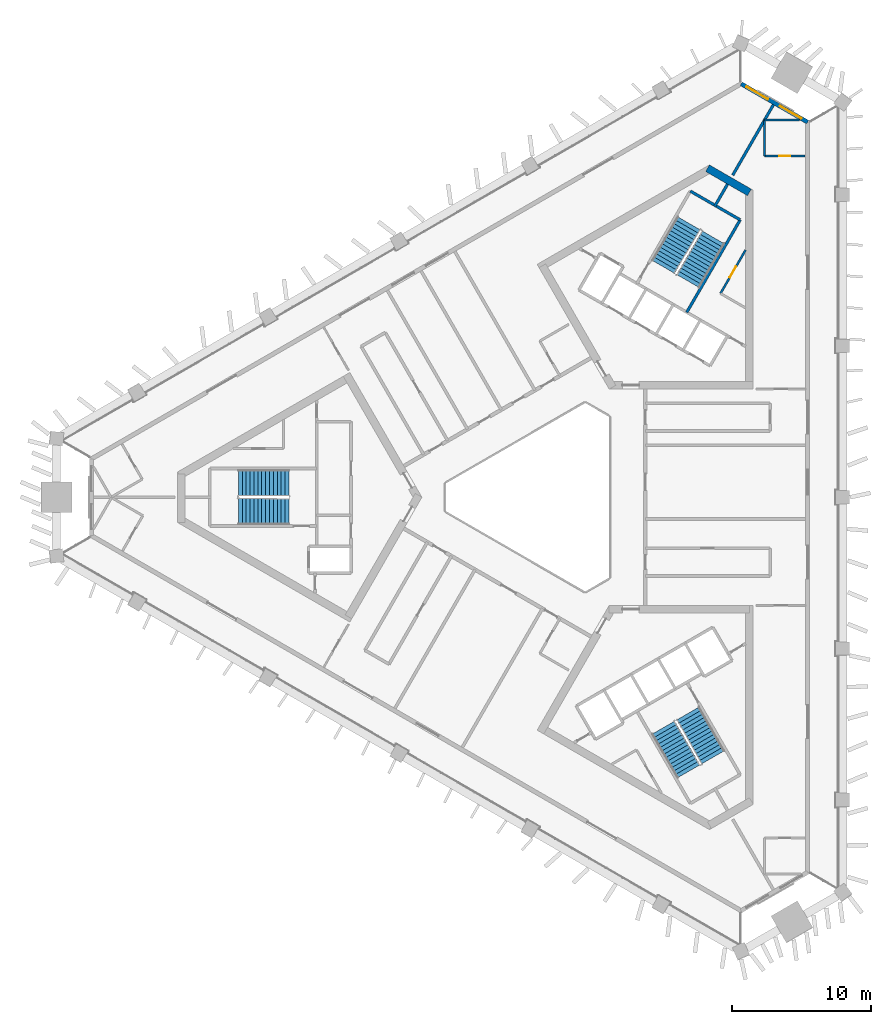
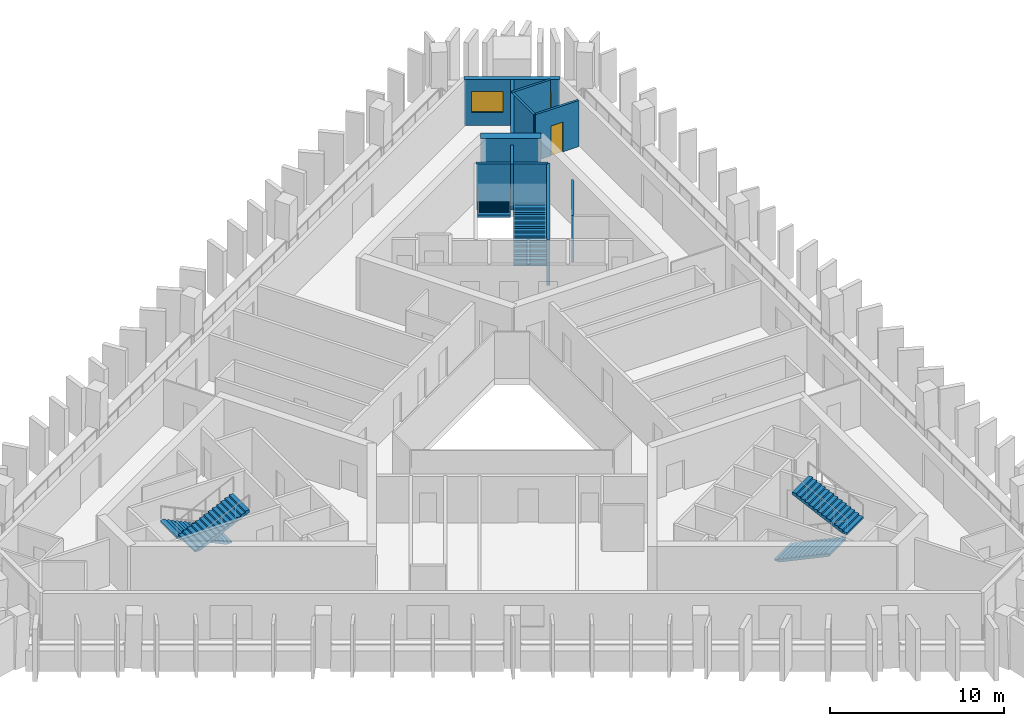
# One storey, part 6 of 10: 10 walls, 6 stair flights, 2 doors, 2 windows, 4 openings, 3 elements without a shape of their own.
"""IFC4 building model written with IfcOpenShell, lengths in metres."""

import ifcopenshell
import ifcopenshell.guid

model = None  # the IFC model being written
_history = None  # IfcOwnerHistory: only IFC2X3 demands one
_inside = {}  # id of a spatial element -> (the spatial element, [elements in it])
_under = {}  # id of a project, library or spatial element -> (it, [spatial elements below it])
_declared = {}  # id of a project -> (the project, [libraries it declares])
_typed = {}  # id of a type object -> (the type object, [elements of that type])
_made_of = {}  # id of a material, layer set ... -> (it, [elements and type objects made of it])


def new_model(schema):
    """Start an empty IFC model of exactly this schema.

    Asked for "IFC4X3", IfcOpenShell would pick the latest addendum, in which some entities
    have other attributes; the version numbers below select the first issue.
    IFC2X3 requires an IfcOwnerHistory on every rooted entity: one is made here for all.
    """
    global model, _history
    if schema == "IFC4X3":
        model = ifcopenshell.file(schema_version=(4, 3, 0, 0))
    else:
        model = ifcopenshell.file(schema=schema)
    _inside.clear()
    _under.clear()
    _declared.clear()
    _typed.clear()
    _made_of.clear()
    _history = None
    if model.schema == "IFC2X3":
        org = make("IfcOrganization", Name="unknown")
        user = make(
            "IfcPersonAndOrganization",
            ThePerson=make("IfcPerson", FamilyName="unknown"),
            TheOrganization=org,
        )
        app = make(
            "IfcApplication",
            ApplicationDeveloper=org,
            Version="unknown",
            ApplicationFullName="unknown",
            ApplicationIdentifier="unknown",
        )
        _history = make(
            "IfcOwnerHistory",
            OwningUser=user,
            OwningApplication=app,
            ChangeAction="ADDED",
            CreationDate=0,
        )
    return model


def make(cls, **values):
    """One entity of the class cls with the attributes given. An attribute that is None is left unset."""
    return model.create_entity(
        cls, **{name: value for name, value in values.items() if value is not None}
    )


def rooted(cls, **values):
    """An entity with a GlobalId (a new one), such as an element, a storey or a relation."""
    return make(cls, GlobalId=ifcopenshell.guid.new(), OwnerHistory=_history, **values)


def si_unit(unit_type, name, prefix=None):
    """IfcSIUnit, for example si_unit("LENGTHUNIT", "METRE", prefix="MILLI")."""
    return make("IfcSIUnit", UnitType=unit_type, Prefix=prefix, Name=name)


def assignment(units):
    """IfcUnitAssignment: the units of a project."""
    return None if units is None else make("IfcUnitAssignment", Units=units)


def point(xyz):
    """IfcCartesianPoint."""
    return None if xyz is None else make("IfcCartesianPoint", Coordinates=xyz)


def direction(xyz):
    """IfcDirection."""
    return None if xyz is None else make("IfcDirection", DirectionRatios=xyz)


def frame(location, z_axis=None, x_axis=None):
    """IfcAxis2Placement3D, a coordinate frame: its origin and axes. An axis left out is left unset."""
    return make(
        "IfcAxis2Placement3D",
        Location=point(location),
        Axis=direction(z_axis),
        RefDirection=direction(x_axis),
    )


def frame_2d(location, x_axis=None):
    """IfcAxis2Placement2D, a coordinate frame in the plane: its origin and x axis."""
    return make(
        "IfcAxis2Placement2D", Location=point(location), RefDirection=direction(x_axis)
    )


def origin():
    """The frame at (0, 0, 0) with its axes left unset."""
    return frame((0.0, 0.0, 0.0))


def place(relative_to, where):
    """IfcLocalPlacement: puts the frame where relative to a parent placement (None: the world)."""
    return make(
        "IfcLocalPlacement", PlacementRelTo=relative_to, RelativePlacement=where
    )


def context(
    kind, dimensions, precision=None, world=None, true_north=None, identifier=None
):
    """IfcGeometricRepresentationContext, for example the 3D "Model" context."""
    return make(
        "IfcGeometricRepresentationContext",
        ContextIdentifier=identifier,
        ContextType=kind,
        CoordinateSpaceDimension=dimensions,
        Precision=precision,
        WorldCoordinateSystem=world,
        TrueNorth=true_north,
    )


def subcontext(parent, identifier, kind, view, scale=None):
    """IfcGeometricRepresentationSubContext, for example "Body" below "Model"."""
    return make(
        "IfcGeometricRepresentationSubContext",
        ContextIdentifier=identifier,
        ContextType=kind,
        ParentContext=parent,
        TargetScale=scale,
        TargetView=view,
    )


def project(units=None, contexts=None):
    """IfcProject with its units and contexts."""
    return rooted(
        "IfcProject",
        Name="project",
        RepresentationContexts=contexts,
        UnitsInContext=assignment(units),
    )


def spatial(cls, under=None, at=None, **own):
    """A site, building, storey or space (cls), placed at a placement, below another one or the project."""
    s = rooted(cls, ObjectPlacement=at, **own)
    if under is not None:
        _under.setdefault(under.id(), (under, []))[1].append(s)
    return s


def polyline(points):
    """IfcPolyline through the points."""
    return make("IfcPolyline", Points=[point(p) for p in points])


def profile(cls, at=None, kind="AREA", **sizes):
    """A parametric profile (cls). Its sizes go by their IFC names, for example OverallWidth=200.0."""
    return make(cls, ProfileType=kind, Position=at, **sizes)


def rectangle(**sizes):
    """IfcRectangleProfileDef."""
    return profile("IfcRectangleProfileDef", **sizes)


def outline(outer, holes=None, kind="AREA"):
    """IfcArbitraryClosedProfileDef: a profile drawn as a closed curve; with holes, ...WithVoids."""
    if holes is None:
        return make("IfcArbitraryClosedProfileDef", ProfileType=kind, OuterCurve=outer)
    return make(
        "IfcArbitraryProfileDefWithVoids",
        ProfileType=kind,
        OuterCurve=outer,
        InnerCurves=holes,
    )


def extrude(swept, where, along, depth):
    """IfcExtrudedAreaSolid: the profile swept, set in the frame where, extruded along a direction by depth."""
    return make(
        "IfcExtrudedAreaSolid",
        SweptArea=swept,
        Position=where,
        ExtrudedDirection=direction(along),
        Depth=depth,
    )


def shape(context_of_items, identifier, shape_type, items):
    """IfcShapeRepresentation: the items that make up one representation, for example the "Body"."""
    return make(
        "IfcShapeRepresentation",
        ContextOfItems=context_of_items,
        RepresentationIdentifier=identifier,
        RepresentationType=shape_type,
        Items=items,
    )


def material(Name=None, Category=None):
    """IfcMaterial."""
    return make("IfcMaterial", Name=Name, Category=Category)


def layer(
    of_material, thickness, ventilated=None, Name=None, Category=None, Priority=None
):
    """IfcMaterialLayer: one layer of a wall or slab, of a material (None: an air gap)."""
    return make(
        "IfcMaterialLayer",
        Material=of_material,
        LayerThickness=thickness,
        IsVentilated=ventilated,
        Name=Name,
        Category=Category,
        Priority=Priority,
    )


def layer_set(layers, Name=None):
    """IfcMaterialLayerSet."""
    return make("IfcMaterialLayerSet", MaterialLayers=layers, LayerSetName=Name)


def made_of(thing, what):
    """Note that an element or type object is made of a material, layer set ...; save() writes the relation."""
    if what is not None:
        _made_of.setdefault(what.id(), (what, []))[1].append(thing)
    return thing


def type_object(cls, material=None, **own):
    """A type object (cls), such as IfcWallType, which elements share."""
    return made_of(rooted(cls, **own), material)


def element(
    cls,
    number,
    at=None,
    inside=None,
    cuts=None,
    type_object=None,
    material=None,
    context=None,
    identifier="Body",
    shape_type=None,
    held_by="IfcProductDefinitionShape",
    body=None,
    shapes=None,
    **own,
):
    """One element of the class cls, such as IfcWall. Its Tag is "e" and its number.

    at: its placement. inside: the storey or other place that contains it. cuts: it is an
    opening in that element (IfcRelVoidsElement). A single representation is given by context,
    identifier, shape_type and body (its items); several are given by shapes. held_by: the class
    of the entity that holds the representations. save() writes the other relations.
    """
    e = rooted(cls, Tag="e%d" % number, ObjectPlacement=at, **own)
    if body is not None:
        shapes = [shape(context, identifier, shape_type, body)]
    if shapes is not None:
        e.Representation = make(held_by, Representations=shapes)
    if inside is not None:
        _inside.setdefault(inside.id(), (inside, []))[1].append(e)
    if cuts is not None:
        rooted(
            "IfcRelVoidsElement", RelatingBuildingElement=cuts, RelatedOpeningElement=e
        )
    if type_object is not None:
        _typed.setdefault(type_object.id(), (type_object, []))[1].append(e)
    return made_of(e, material)


def fill(opening, filler):
    """IfcRelFillsElement: the door or window that sits in an opening."""
    return rooted(
        "IfcRelFillsElement",
        RelatingOpeningElement=opening,
        RelatedBuildingElement=filler,
    )


def aggregate(whole, parts):
    """IfcRelAggregates: a whole, such as a stair, and the parts it consists of."""
    return rooted("IfcRelAggregates", RelatingObject=whole, RelatedObjects=parts)


def save(model, path):
    """Write the relations noted so far, then the file.

    IfcRelAggregates (storeys below a building ...), IfcRelContainedInSpatialStructure (elements
    in a storey), IfcRelDefinesByType, IfcRelAssociatesMaterial and IfcRelDeclares: one each for
    every whole, place, type object, material and project.
    """
    for whole, parts in _under.values():
        aggregate(whole, parts)
    for where, things in _inside.values():
        rooted(
            "IfcRelContainedInSpatialStructure",
            RelatedElements=things,
            RelatingStructure=where,
        )
    for kind, things in _typed.values():
        rooted("IfcRelDefinesByType", RelatedObjects=things, RelatingType=kind)
    for what, things in _made_of.values():
        rooted("IfcRelAssociatesMaterial", RelatedObjects=things, RelatingMaterial=what)
    for by, libraries in _declared.values():
        rooted("IfcRelDeclares", RelatingContext=by, RelatedDefinitions=libraries)
    model.write(path)


model = new_model("IFC4")

# Units and contexts
model_context = context("Model", 3, precision=1e-05, world=origin(), true_north=direction((0.0, 1.0)))
body_context = subcontext(model_context, "Body", "Model", "MODEL_VIEW")
ifc_project = project(units=[si_unit("LENGTHUNIT", "METRE"), si_unit("AREAUNIT", "SQUARE_METRE"), si_unit("VOLUMEUNIT", "CUBIC_METRE"), si_unit("PLANEANGLEUNIT", "RADIAN"), si_unit("MASSUNIT", "GRAM", prefix="KILO")], contexts=[model_context])

# Site, building, storey
site_placement = place(None, origin())
site = spatial("IfcSite", under=ifc_project, at=site_placement, CompositionType="ELEMENT")
building_placement = place(site_placement, origin())
building = spatial("IfcBuilding", under=site, at=building_placement, Name="Jabali Bay Hotel Tower and Convention Centre", CompositionType="ELEMENT")
storey_placement = place(building_placement, frame((0.0, 0.0, 163.699951171875)))
storey = spatial("IfcBuildingStorey", under=building, at=storey_placement, Name="L39", CompositionType="ELEMENT", Elevation=163.699951171875)

# Wall
ifc_material_1 = material(Name="Concrete C40", Category="concrete")
ifc_layer_1 = layer(ifc_material_1, 0.199951171875)
ifc_layer_set_1 = layer_set([ifc_layer_1], Name="Concrete C40")
wall_type_1 = type_object("IfcWallType", Name="Core partition wall 200", PredefinedType="PARTITIONING", material=ifc_layer_set_1)
wall_1_placement = place(storey_placement, frame((87.090087890625, 100.9404296875, 0.0), z_axis=(0.0, 0.0, 1.0), x_axis=(0.499951854219, 0.86605319898, 0.0)))
element("IfcWall", 1, at=wall_1_placement, inside=storey, type_object=wall_type_1, Name="Core wall 1.5 L39", PredefinedType="PARTITIONING", context=body_context, shape_type="SweptSolid", body=[
    extrude(rectangle(XDim=1.873291015625, YDim=0.199951171875, at=frame_2d((0.9365234375, 0.0))), origin(), (0.0, 0.0, 1.0), 3.25),
])

# Wall, opening, door
ifc_material_2 = material(Name="Fire-rated board partition")
ifc_layer_2 = layer(ifc_material_2, 0.14990234375)
ifc_layer_set_2 = layer_set([ifc_layer_2], Name="Fire-rated board partition")
wall_type_2 = type_object("IfcWallType", Name="Core room partition 150", PredefinedType="PARTITIONING", material=ifc_layer_set_2)
wall_2_placement = place(storey_placement, frame((87.52099609375, 94.687255859375, 0.0), z_axis=(0.0, 0.0, 1.0), x_axis=(0.500043727655, 0.866000156139, 0.0)))
wall_2 = element("IfcWall", 2, at=wall_2_placement, inside=storey, type_object=wall_type_2, Name="Core wall 1.1 L39", PredefinedType="PARTITIONING", context=body_context, shape_type="SweptSolid", body=[
    extrude(rectangle(XDim=3.617919921875, YDim=0.14990234375, at=frame_2d((1.80908203125, 0.0))), origin(), (0.0, 0.0, 1.0), 3.25),
])
opening_1_placement = place(wall_2_placement, frame((1.33154296875, 0.0, 0.0)))
opening_1 = element("IfcOpeningElement", 3, at=opening_1_placement, cuts=wall_2, Name="Opening D858", PredefinedType="OPENING", context=body_context, shape_type="SweptSolid", body=[
    extrude(rectangle(XDim=0.89990234375, YDim=2.10009765625, at=frame_2d((0.449951171875, 1.050048828125))), frame((0.0, 0.08544921875, 0.0), z_axis=(0.0, -1.0, 0.0), x_axis=(1.0, 0.0, 0.0)), (0.0, 0.0, 1.0), 0.1708984375),
])
ifc_material_3 = material(Name="Fire-rated steel door", Category="steel")
door_type_1 = type_object("IfcDoorType", Name="Core room door 900 x 2100", OperationType="NOTDEFINED", PredefinedType="NOTDEFINED", material=ifc_material_3)
door_1_placement = place(opening_1_placement, origin())
door_1 = element("IfcDoor", 4, at=door_1_placement, inside=storey, type_object=door_type_1, Name="Core room door D858", OperationType="SINGLE_SWING_LEFT", OverallHeight=2.10009765625, OverallWidth=0.89990234375, PredefinedType="NOTDEFINED", context=body_context, shape_type="SweptSolid", body=[
    extrude(rectangle(XDim=0.89990234375, YDim=2.10009765625, at=frame_2d((0.449951171875, 1.050048828125))), frame((0.0, 0.02490234375, 0.0), z_axis=(0.0, -1.0, 0.0), x_axis=(1.0, 0.0, 0.0)), (0.0, 0.0, 1.0), 0.050048828125),
])
fill(opening_1, door_1)

# Walls
ifc_layer_3 = layer(ifc_material_1, 0.199951171875)
ifc_layer_set_3 = layer_set([ifc_layer_3], Name="Concrete C40")
wall_type_3 = type_object("IfcWallType", Name="Core stair wall 200", PredefinedType="SOLIDWALL", material=ifc_layer_set_3)
wall_3_placement = place(storey_placement, frame((85.0869140625, 93.3212890625, 0.0), z_axis=(0.0, 0.0, 1.0), x_axis=(0.500019787375, 0.866013979237, 0.0)))
element("IfcWall", 5, at=wall_3_placement, inside=storey, type_object=wall_type_3, Name="Core wall 1.3 L39", PredefinedType="SOLIDWALL", context=body_context, shape_type="SweptSolid", body=[
    extrude(rectangle(XDim=7.699951171875, YDim=0.199951171875, at=frame_2d((3.85009765625, 0.0))), origin(), (0.0, 0.0, 1.0), 3.25),
])
wall_4_placement = place(storey_placement, frame((88.93701171875, 99.989501953125, 0.0), z_axis=(0.0, 0.0, 1.0), x_axis=(-0.866004344652, 0.500036473714, 0.0)))
element("IfcWall", 6, at=wall_4_placement, inside=storey, type_object=wall_type_3, Name="Core wall 1.15 L39", PredefinedType="SOLIDWALL", context=body_context, shape_type="SweptSolid", body=[
    extrude(rectangle(XDim=4.150146484375, YDim=0.199951171875, at=frame_2d((2.0751953125, 0.0))), origin(), (0.0, 0.0, 1.0), 3.25),
])
ifc_material_4 = material(Name="Concrete C60", Category="concrete")
ifc_layer_4 = layer(ifc_material_4, 0.550048828125)
ifc_layer_set_4 = layer_set([ifc_layer_4], Name="Concrete C60")
wall_type_4 = type_object("IfcWallType", Name="Core wall 550", PredefinedType="SHEAR", material=ifc_layer_set_4)
wall_5_placement = place(storey_placement, frame((89.60498046875, 101.96875, 0.0), z_axis=(0.0, 0.0, 1.0), x_axis=(-0.865997833373, 0.500047750313, 0.0)))
element("IfcWall", 7, at=wall_5_placement, inside=storey, type_object=wall_type_4, Name="Core wall 2.3 L39", PredefinedType="SHEAR", context=body_context, shape_type="SweptSolid", body=[
    extrude(rectangle(XDim=3.486572265625, YDim=0.550048828125, at=frame_2d((1.7431640625, 0.0))), origin(), (0.0, 0.0, 1.0), 3.699951171875),
])

# Wall, openings, windows
ifc_layer_5 = layer(ifc_material_1, 0.300048828125)
ifc_layer_set_5 = layer_set([ifc_layer_5], Name="Concrete C40")
wall_type_5 = type_object("IfcWallType", Name="External wall 300", PredefinedType="SOLIDWALL", material=ifc_layer_set_5)
wall_6_placement = place(storey_placement, frame((89.01025390625, 109.798095703125, 0.0), z_axis=(0.0, 0.0, 1.0), x_axis=(0.86602095052, -0.500007713201, 0.0)))
wall_6 = element("IfcWall", 8, at=wall_6_placement, inside=storey, type_object=wall_type_5, Name="External wall north-east chamfer L39", PredefinedType="SOLIDWALL", context=body_context, shape_type="SweptSolid", body=[
    extrude(rectangle(XDim=5.53173828125, YDim=0.300048828125, at=frame_2d((2.765869140625, 0.0))), origin(), (0.0, 0.0, 1.0), 3.25),
])
opening_2_placement = place(wall_6_placement, frame((3.21728515625, 0.0, 0.89990234375)))
opening_2 = element("IfcOpeningElement", 9, at=opening_2_placement, cuts=wall_6, Name="Opening W1", PredefinedType="OPENING", context=body_context, shape_type="SweptSolid", body=[
    extrude(rectangle(XDim=1.800048828125, YDim=1.5, at=frame_2d((0.89990234375, 0.75))), frame((0.0, 0.16064453125, 0.0), z_axis=(0.0, -1.0, 0.0), x_axis=(1.0, 0.0, 0.0)), (0.0, 0.0, 1.0), 0.321044921875),
])
opening_3_placement = place(wall_6_placement, frame((0.440185546875, 0.0, 0.89990234375)))
opening_3 = element("IfcOpeningElement", 10, at=opening_3_placement, cuts=wall_6, Name="Opening W1", PredefinedType="OPENING", context=body_context, shape_type="SweptSolid", body=[
    extrude(rectangle(XDim=1.800048828125, YDim=1.5, at=frame_2d((0.89990234375, 0.75))), frame((0.0, 0.16064453125, 0.0), z_axis=(0.0, -1.0, 0.0), x_axis=(1.0, 0.0, 0.0)), (0.0, 0.0, 1.0), 0.321044921875),
])
ifc_material_5 = material(Name="Glass", Category="glass")
window_type = type_object("IfcWindowType", Name="Window 1800 x 1500", PartitioningType="SINGLE_PANEL", PredefinedType="WINDOW", material=ifc_material_5)
window_1_placement = place(opening_2_placement, origin())
window_1 = element("IfcWindow", 11, at=window_1_placement, inside=storey, type_object=window_type, Name="Window 3903", OverallHeight=1.5, OverallWidth=1.800048828125, PartitioningType="SINGLE_PANEL", PredefinedType="WINDOW", context=body_context, shape_type="SweptSolid", body=[
    extrude(rectangle(XDim=1.800048828125, YDim=1.5, at=frame_2d((0.89990234375, 0.75))), frame((0.0, 0.030029296875, 0.0), z_axis=(0.0, -1.0, 0.0), x_axis=(1.0, 0.0, 0.0)), (0.0, 0.0, 1.0), 0.06005859375),
])
fill(opening_2, window_1)
window_2_placement = place(opening_3_placement, origin())
window_2 = element("IfcWindow", 12, at=window_2_placement, inside=storey, type_object=window_type, Name="Window 3905", OverallHeight=1.5, OverallWidth=1.800048828125, PartitioningType="SINGLE_PANEL", PredefinedType="WINDOW", context=body_context, shape_type="SweptSolid", body=[
    extrude(rectangle(XDim=1.800048828125, YDim=1.5, at=frame_2d((0.89990234375, 0.75))), frame((0.0, 0.030029296875, 0.0), z_axis=(0.0, -1.0, 0.0), x_axis=(1.0, 0.0, 0.0)), (0.0, 0.0, 1.0), 0.06005859375),
])
fill(opening_3, window_2)

# Wall, opening, door
ifc_material_6 = material(Name="Plasterboard on steel stud", Category="steel")
ifc_layer_6 = layer(ifc_material_6, 0.14990234375)
ifc_layer_set_6 = layer_set([ifc_layer_6], Name="Plasterboard on steel stud")
wall_type_6 = type_object("IfcWallType", Name="Partition 150 wet", PredefinedType="PARTITIONING", material=ifc_layer_set_6)
wall_7_placement = place(storey_placement, frame((93.6015625, 104.59423828125, 0.0), z_axis=(0.0, 0.0, 1.0), x_axis=(-1.0, 0.0, 0.0)))
wall_7 = element("IfcWall", 13, at=wall_7_placement, inside=storey, type_object=wall_type_6, Name="Partition P03 L39 015", PredefinedType="PARTITIONING", context=body_context, shape_type="SweptSolid", body=[
    extrude(rectangle(XDim=2.89990234375, YDim=0.14990234375, at=frame_2d((1.449951171875, 0.0))), origin(), (0.0, 0.0, 1.0), 3.25),
])
opening_4_placement = place(wall_7_placement, frame((1.050048828125, 0.0, 0.0)))
opening_4 = element("IfcOpeningElement", 14, at=opening_4_placement, cuts=wall_7, Name="Opening 3908", PredefinedType="OPENING", context=body_context, shape_type="SweptSolid", body=[
    extrude(rectangle(XDim=0.800048828125, YDim=2.10009765625, at=frame_2d((0.39990234375, 1.050048828125))), frame((0.0, 0.08544921875, 0.0), z_axis=(0.0, -1.0, 0.0), x_axis=(1.0, 0.0, 0.0)), (0.0, 0.0, 1.0), 0.1708984375),
])
ifc_material_7 = material(Name="Timber", Category="wood")
door_type_2 = type_object("IfcDoorType", Name="En-suite door 800 x 2100", OperationType="NOTDEFINED", PredefinedType="NOTDEFINED", material=ifc_material_7)
door_2_placement = place(opening_4_placement, origin())
door_2 = element("IfcDoor", 15, at=door_2_placement, inside=storey, type_object=door_type_2, Name="Door 3908", OperationType="SINGLE_SWING_RIGHT", OverallHeight=2.10009765625, OverallWidth=0.800048828125, PredefinedType="NOTDEFINED", context=body_context, shape_type="SweptSolid", body=[
    extrude(rectangle(XDim=0.800048828125, YDim=2.10009765625, at=frame_2d((0.39990234375, 1.050048828125))), frame((0.0, 0.02490234375, 0.0), z_axis=(0.0, -1.0, 0.0), x_axis=(1.0, 0.0, 0.0)), (0.0, 0.0, 1.0), 0.050048828125),
])
fill(opening_4, door_2)

# Walls
wall_8_placement = place(storey_placement, frame((90.70166015625, 104.59423828125, 0.0), z_axis=(0.0, 0.0, 1.0), x_axis=(0.0, 1.0, 0.0)))
element("IfcWall", 16, at=wall_8_placement, inside=storey, type_object=wall_type_6, Name="Partition P03 L39 016", PredefinedType="PARTITIONING", context=body_context, shape_type="SweptSolid", body=[
    extrude(rectangle(XDim=2.60009765625, YDim=0.14990234375, at=frame_2d((1.300048828125, 0.0))), origin(), (0.0, 0.0, 1.0), 3.25),
])
wall_9_placement = place(storey_placement, frame((90.70166015625, 107.1943359375, 0.0), z_axis=(0.0, 0.0, 1.0), x_axis=(1.0, 0.0, 0.0)))
element("IfcWall", 17, at=wall_9_placement, inside=storey, type_object=wall_type_6, Name="Partition P03 L39 017", PredefinedType="PARTITIONING", context=body_context, shape_type="SweptSolid", body=[
    extrude(rectangle(XDim=2.520751953125, YDim=0.14990234375, at=frame_2d((1.26025390625, 0.0))), origin(), (0.0, 0.0, 1.0), 3.25),
])
ifc_layer_7 = layer(ifc_material_6, 0.199951171875)
ifc_layer_set_7 = layer_set([ifc_layer_7], Name="Plasterboard on steel stud")
wall_type_7 = type_object("IfcWallType", Name="Partition 200 party", PredefinedType="PARTITIONING", material=ifc_layer_set_7)
wall_10_placement = place(storey_placement, frame((91.331787109375, 108.28564453125, 0.0), z_axis=(0.0, 0.0, 1.0), x_axis=(-0.499988124798, -0.866032259827, 0.0)))
element("IfcWall", 18, at=wall_10_placement, inside=storey, type_object=wall_type_7, Name="Partition P01 L39 018", PredefinedType="PARTITIONING", context=body_context, shape_type="SweptSolid", body=[
    extrude(rectangle(XDim=5.860107421875, YDim=0.199951171875, at=frame_2d((2.93017578125, 0.0))), origin(), (0.0, 0.0, 1.0), 3.25),
])

# Stair, stair flights
stair_type = type_object("IfcStairType", Name="Exit stair 1900", PredefinedType="HALF_TURN_STAIR", material=ifc_material_1)
stair_1_placement = place(storey_placement, origin())
stair_1 = element("IfcStair", 19, at=stair_1_placement, inside=storey, type_object=stair_type, Name="L39 Exit Stair 1", PredefinedType="HALF_TURN_STAIR")
stair_flight_type = type_object("IfcStairFlightType", Name="Stair flight concrete 150", PredefinedType="STRAIGHT", material=ifc_material_1)
stair_flight_1_placement = place(storey_placement, frame((56.419921875, 81.02490234375, 0.0), z_axis=(0.0, 0.0, 1.0), x_axis=(-1.0, 0.0, 0.0)))
stair_flight_1 = element("IfcStairFlight", 20, at=stair_flight_1_placement, type_object=stair_flight_type, Name="ST1 flight 1", NumberOfRisers=14, NumberOfTreads=13, PredefinedType="STRAIGHT", RiserHeight=0.132142857, TreadLength=0.28, context=body_context, shape_type="SweptSolid", body=[
    extrude(outline(polyline([(0.0, 0.0), (0.0, 0.132080078125), (0.280029296875, 0.132080078125), (0.280029296875, 0.264404296875), (0.56005859375, 0.264404296875), (0.56005859375, 0.396484375), (0.840087890625, 0.396484375), (0.840087890625, 0.528564453125), (1.1201171875, 0.528564453125), (1.1201171875, 0.66064453125), (1.39990234375, 0.66064453125), (1.39990234375, 0.79296875), (1.679931640625, 0.79296875), (1.679931640625, 0.925048828125), (1.9599609375, 0.925048828125), (1.9599609375, 1.05712890625), (2.239990234375, 1.05712890625), (2.239990234375, 1.189208984375), (2.52001953125, 1.189208984375), (2.52001953125, 1.321533203125), (2.800048828125, 1.321533203125), (2.800048828125, 1.45361328125), (3.080078125, 1.45361328125), (3.080078125, 1.585693359375), (3.360107421875, 1.585693359375), (3.360107421875, 1.7177734375), (3.639892578125, 1.7177734375), (3.639892578125, 1.85009765625), (3.639892578125, 1.552001953125), (0.351318359375, 0.0), (0.0, 0.0)])), frame((0.0, 0.949951171875, 0.0), z_axis=(0.0, -1.0, 0.0), x_axis=(1.0, 0.0, 0.0)), (0.0, 0.0, 1.0), 1.89990234375),
])
stair_flight_2_placement = place(storey_placement, frame((52.780029296875, 78.97509765625, 1.85009765625), z_axis=(0.0, 0.0, 1.0), x_axis=(1.0, 0.0, 0.0)))
stair_flight_2 = element("IfcStairFlight", 21, at=stair_flight_2_placement, type_object=stair_flight_type, Name="ST1 flight 2", NumberOfRisers=14, NumberOfTreads=13, PredefinedType="STRAIGHT", RiserHeight=0.132142857, TreadLength=0.28, context=body_context, shape_type="SweptSolid", body=[
    extrude(outline(polyline([(0.0, 0.0), (0.0, 0.132080078125), (0.280029296875, 0.132080078125), (0.280029296875, 0.264404296875), (0.56005859375, 0.264404296875), (0.56005859375, 0.396484375), (0.840087890625, 0.396484375), (0.840087890625, 0.528564453125), (1.1201171875, 0.528564453125), (1.1201171875, 0.66064453125), (1.39990234375, 0.66064453125), (1.39990234375, 0.79296875), (1.679931640625, 0.79296875), (1.679931640625, 0.925048828125), (1.9599609375, 0.925048828125), (1.9599609375, 1.05712890625), (2.239990234375, 1.05712890625), (2.239990234375, 1.189208984375), (2.52001953125, 1.189208984375), (2.52001953125, 1.321533203125), (2.800048828125, 1.321533203125), (2.800048828125, 1.45361328125), (3.080078125, 1.45361328125), (3.080078125, 1.585693359375), (3.360107421875, 1.585693359375), (3.360107421875, 1.7177734375), (3.639892578125, 1.7177734375), (3.639892578125, 1.85009765625), (3.639892578125, 1.552001953125), (0.351318359375, 0.0), (0.0, 0.0)])), frame((0.0, 0.949951171875, 0.0), z_axis=(0.0, -1.0, 0.0), x_axis=(1.0, 0.0, 0.0)), (0.0, 0.0, 1.0), 1.89990234375),
])
aggregate(stair_1, [stair_flight_1, stair_flight_2])

stair_2_placement = place(storey_placement, origin())
stair_2 = element("IfcStair", 22, at=stair_2_placement, inside=storey, type_object=stair_type, Name="L39 Exit Stair 2", PredefinedType="HALF_TURN_STAIR")
stair_flight_3_placement = place(storey_placement, frame((85.177734375, 95.578369140625, 0.0), z_axis=(0.0, 0.0, 1.0), x_axis=(0.5, 0.866025403784, 0.0)))
stair_flight_3 = element("IfcStairFlight", 23, at=stair_flight_3_placement, type_object=stair_flight_type, Name="ST2 flight 1", NumberOfRisers=14, NumberOfTreads=13, PredefinedType="STRAIGHT", RiserHeight=0.132142857, TreadLength=0.28, context=body_context, shape_type="SweptSolid", body=[
    extrude(outline(polyline([(0.0, 0.0), (0.0, 0.132080078125), (0.280029296875, 0.132080078125), (0.280029296875, 0.264404296875), (0.56005859375, 0.264404296875), (0.56005859375, 0.396484375), (0.840087890625, 0.396484375), (0.840087890625, 0.528564453125), (1.1201171875, 0.528564453125), (1.1201171875, 0.66064453125), (1.39990234375, 0.66064453125), (1.39990234375, 0.79296875), (1.679931640625, 0.79296875), (1.679931640625, 0.925048828125), (1.9599609375, 0.925048828125), (1.9599609375, 1.05712890625), (2.239990234375, 1.05712890625), (2.239990234375, 1.189208984375), (2.52001953125, 1.189208984375), (2.52001953125, 1.321533203125), (2.800048828125, 1.321533203125), (2.800048828125, 1.45361328125), (3.080078125, 1.45361328125), (3.080078125, 1.585693359375), (3.360107421875, 1.585693359375), (3.360107421875, 1.7177734375), (3.639892578125, 1.7177734375), (3.639892578125, 1.85009765625), (3.639892578125, 1.552001953125), (0.351318359375, 0.0), (0.0, 0.0)])), frame((0.0, 0.949951171875, 0.0), z_axis=(0.0, -1.0, 0.0), x_axis=(1.0, 0.0, 0.0)), (0.0, 0.0, 1.0), 1.89990234375),
])
stair_flight_4_placement = place(storey_placement, frame((85.222412109375, 99.755615234375, 1.85009765625), z_axis=(0.0, 0.0, 1.0), x_axis=(-0.5, -0.866025403784, 0.0)))
stair_flight_4 = element("IfcStairFlight", 24, at=stair_flight_4_placement, type_object=stair_flight_type, Name="ST2 flight 2", NumberOfRisers=14, NumberOfTreads=13, PredefinedType="STRAIGHT", RiserHeight=0.132142857, TreadLength=0.28, context=body_context, shape_type="SweptSolid", body=[
    extrude(outline(polyline([(0.0, 0.0), (0.0, 0.132080078125), (0.280029296875, 0.132080078125), (0.280029296875, 0.264404296875), (0.56005859375, 0.264404296875), (0.56005859375, 0.396484375), (0.840087890625, 0.396484375), (0.840087890625, 0.528564453125), (1.1201171875, 0.528564453125), (1.1201171875, 0.66064453125), (1.39990234375, 0.66064453125), (1.39990234375, 0.79296875), (1.679931640625, 0.79296875), (1.679931640625, 0.925048828125), (1.9599609375, 0.925048828125), (1.9599609375, 1.05712890625), (2.239990234375, 1.05712890625), (2.239990234375, 1.189208984375), (2.52001953125, 1.189208984375), (2.52001953125, 1.321533203125), (2.800048828125, 1.321533203125), (2.800048828125, 1.45361328125), (3.080078125, 1.45361328125), (3.080078125, 1.585693359375), (3.360107421875, 1.585693359375), (3.360107421875, 1.7177734375), (3.639892578125, 1.7177734375), (3.639892578125, 1.85009765625), (3.639892578125, 1.552001953125), (0.351318359375, 0.0), (0.0, 0.0)])), frame((0.0, 0.949951171875, 0.0), z_axis=(0.0, -1.0, 0.0), x_axis=(1.0, 0.0, 0.0)), (0.0, 0.0, 1.0), 1.89990234375),
])
aggregate(stair_2, [stair_flight_3, stair_flight_4])

stair_3_placement = place(storey_placement, origin())
stair_3 = element("IfcStair", 25, at=stair_3_placement, inside=storey, type_object=stair_type, Name="L39 Exit Stair 3", PredefinedType="HALF_TURN_STAIR")
stair_flight_5_placement = place(storey_placement, frame((83.40234375, 63.396728515625, 0.0), z_axis=(0.0, 0.0, 1.0), x_axis=(0.5, -0.866025403784, 0.0)))
stair_flight_5 = element("IfcStairFlight", 26, at=stair_flight_5_placement, type_object=stair_flight_type, Name="ST3 flight 1", NumberOfRisers=14, NumberOfTreads=13, PredefinedType="STRAIGHT", RiserHeight=0.132142857, TreadLength=0.28, context=body_context, shape_type="SweptSolid", body=[
    extrude(outline(polyline([(0.0, 0.0), (0.0, 0.132080078125), (0.280029296875, 0.132080078125), (0.280029296875, 0.264404296875), (0.56005859375, 0.264404296875), (0.56005859375, 0.396484375), (0.840087890625, 0.396484375), (0.840087890625, 0.528564453125), (1.1201171875, 0.528564453125), (1.1201171875, 0.66064453125), (1.39990234375, 0.66064453125), (1.39990234375, 0.79296875), (1.679931640625, 0.79296875), (1.679931640625, 0.925048828125), (1.9599609375, 0.925048828125), (1.9599609375, 1.05712890625), (2.239990234375, 1.05712890625), (2.239990234375, 1.189208984375), (2.52001953125, 1.189208984375), (2.52001953125, 1.321533203125), (2.800048828125, 1.321533203125), (2.800048828125, 1.45361328125), (3.080078125, 1.45361328125), (3.080078125, 1.585693359375), (3.360107421875, 1.585693359375), (3.360107421875, 1.7177734375), (3.639892578125, 1.7177734375), (3.639892578125, 1.85009765625), (3.639892578125, 1.552001953125), (0.351318359375, 0.0), (0.0, 0.0)])), frame((0.0, 0.949951171875, 0.0), z_axis=(0.0, -1.0, 0.0), x_axis=(1.0, 0.0, 0.0)), (0.0, 0.0, 1.0), 1.89990234375),
])
stair_flight_6_placement = place(storey_placement, frame((86.99755859375, 61.26953125, 1.85009765625), z_axis=(0.0, 0.0, 1.0), x_axis=(-0.5, 0.866025403784, 0.0)))
stair_flight_6 = element("IfcStairFlight", 27, at=stair_flight_6_placement, type_object=stair_flight_type, Name="ST3 flight 2", NumberOfRisers=14, NumberOfTreads=13, PredefinedType="STRAIGHT", RiserHeight=0.132142857, TreadLength=0.28, context=body_context, shape_type="SweptSolid", body=[
    extrude(outline(polyline([(0.0, 0.0), (0.0, 0.132080078125), (0.280029296875, 0.132080078125), (0.280029296875, 0.264404296875), (0.56005859375, 0.264404296875), (0.56005859375, 0.396484375), (0.840087890625, 0.396484375), (0.840087890625, 0.528564453125), (1.1201171875, 0.528564453125), (1.1201171875, 0.66064453125), (1.39990234375, 0.66064453125), (1.39990234375, 0.79296875), (1.679931640625, 0.79296875), (1.679931640625, 0.925048828125), (1.9599609375, 0.925048828125), (1.9599609375, 1.05712890625), (2.239990234375, 1.05712890625), (2.239990234375, 1.189208984375), (2.52001953125, 1.189208984375), (2.52001953125, 1.321533203125), (2.800048828125, 1.321533203125), (2.800048828125, 1.45361328125), (3.080078125, 1.45361328125), (3.080078125, 1.585693359375), (3.360107421875, 1.585693359375), (3.360107421875, 1.7177734375), (3.639892578125, 1.7177734375), (3.639892578125, 1.85009765625), (3.639892578125, 1.552001953125), (0.351318359375, 0.0), (0.0, 0.0)])), frame((0.0, 0.949951171875, 0.0), z_axis=(0.0, -1.0, 0.0), x_axis=(1.0, 0.0, 0.0)), (0.0, 0.0, 1.0), 1.89990234375),
])
aggregate(stair_3, [stair_flight_5, stair_flight_6])

save(model, "model.ifc")
